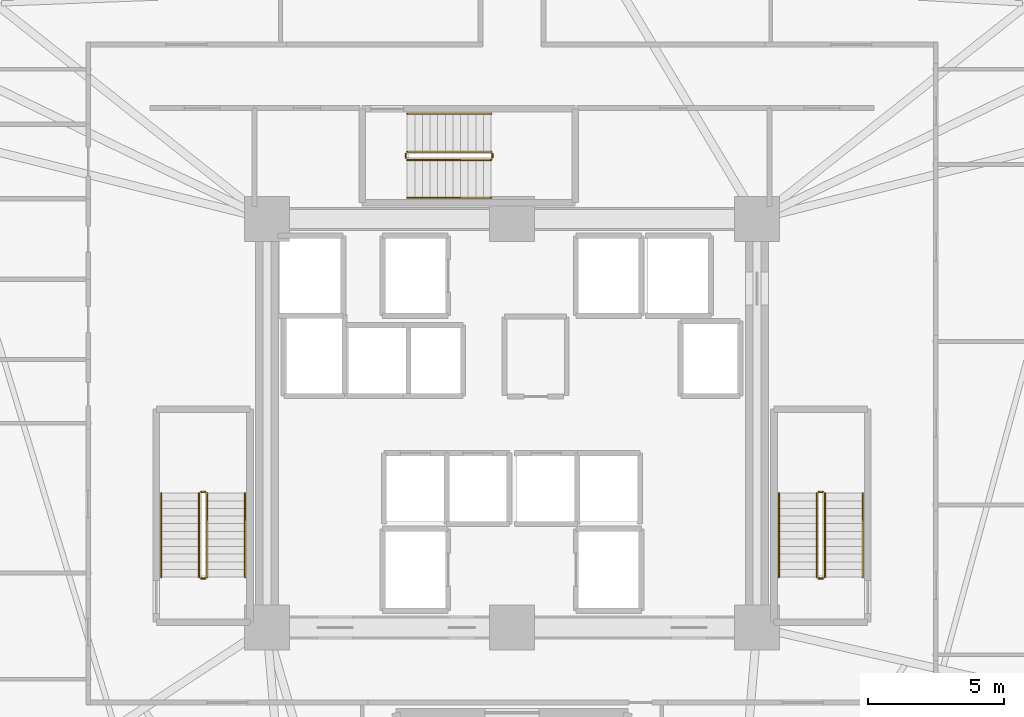
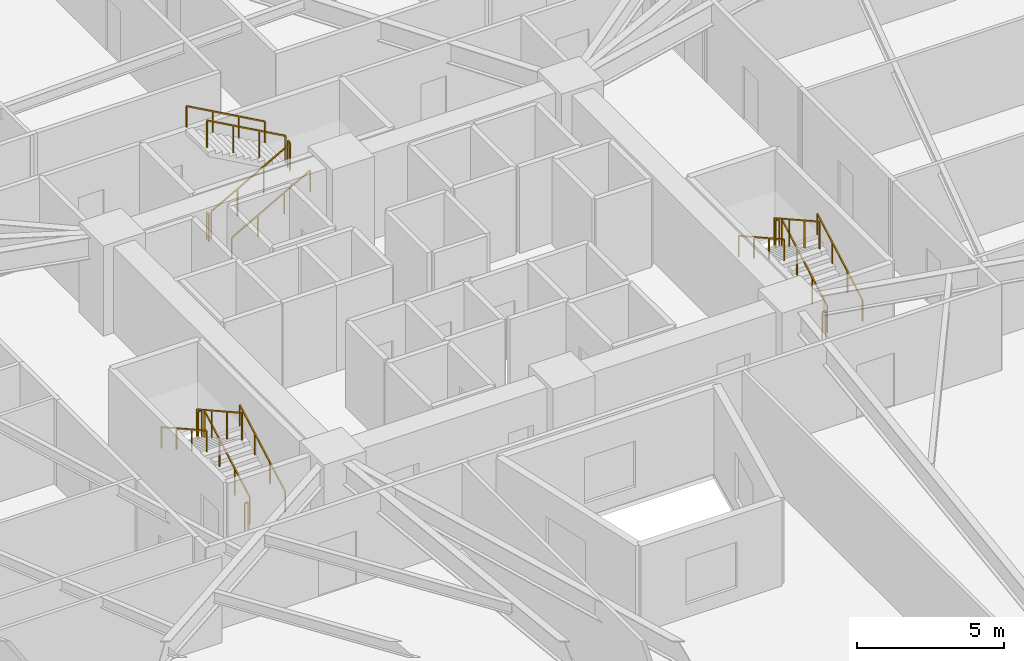
# One storey, part 8 of 8: 18 railings.
"""IFC4 building model written with IfcOpenShell, lengths in metres."""

from ifc_helpers import new_model, si_unit, direction, frame, origin, origin_2d, place, context, subcontext, project, spatial, rectangle, extrude, material, type_object, element, save


model = new_model("IFC4")

# Units and contexts
model_context = context("Model", 3, precision=1e-05, world=origin(), true_north=direction((0.0, 1.0)))
body_context = subcontext(model_context, "Body", "Model", "MODEL_VIEW")
ifc_project = project(units=[si_unit("LENGTHUNIT", "METRE"), si_unit("AREAUNIT", "SQUARE_METRE"), si_unit("VOLUMEUNIT", "CUBIC_METRE"), si_unit("PLANEANGLEUNIT", "RADIAN"), si_unit("MASSUNIT", "GRAM", prefix="KILO")], contexts=[model_context])

# Site, building, storey
site_placement = place(None, origin())
site = spatial("IfcSite", under=ifc_project, at=site_placement, CompositionType="ELEMENT")
building_placement = place(site_placement, origin())
building = spatial("IfcBuilding", under=site, at=building_placement, Name="Liaohun Quay Tower", CompositionType="ELEMENT")
storey_placement = place(building_placement, frame((0.0, 0.0, 78.0)))
storey = spatial("IfcBuildingStorey", under=building, at=storey_placement, Name="L20", CompositionType="ELEMENT", Elevation=78.0)

# Railings
ifc_material_1 = material(Name="Painted tubular steel", Category="steel")
railing_type_1 = type_object("IfcRailingType", Name="RLG-GUARD-STR", PredefinedType="GUARDRAIL", material=ifc_material_1)
railing_1_placement = place(storey_placement, frame((48.81005859375, 48.35009765625, 0.15625)))
element("IfcRailing", 1, at=railing_1_placement, inside=storey, type_object=railing_type_1, Name="L20 ST-1 stair guard 1", PredefinedType="GUARDRAIL", context=body_context, shape_type="SweptSolid", body=[
    extrude(rectangle(XDim=0.048095703125, YDim=0.048095703125, at=origin_2d()), frame((0.0, 0.0, 1.1259765625), z_axis=(0.0, 0.873225103656, 0.487317061414), x_axis=(-1.0, 0.0, 0.0)), (0.0, 0.0, 1.0), 3.52685546875),
    extrude(rectangle(XDim=0.0419921875, YDim=0.0419921875, at=origin_2d()), origin(), (0.0, 0.0, 1.0), 1.101806640625),
    extrude(rectangle(XDim=0.0419921875, YDim=0.0419921875, at=origin_2d()), frame((0.0, 1.026611328125, 0.572998046875)), (0.0, 0.0, 1.0), 1.101806640625),
    extrude(rectangle(XDim=0.0419921875, YDim=0.0419921875, at=origin_2d()), frame((0.0, 2.05322265625, 1.145751953125)), (0.0, 0.0, 1.0), 1.101806640625),
    extrude(rectangle(XDim=0.0419921875, YDim=0.0419921875, at=origin_2d()), frame((0.0, 3.079833984375, 1.71875)), (0.0, 0.0, 1.0), 1.101806640625),
])
railing_2_placement = place(storey_placement, frame((48.72998046875, 51.47998046875, 1.875)))
element("IfcRailing", 2, at=railing_2_placement, inside=storey, type_object=railing_type_1, Name="L20 ST-1 stair guard 2", PredefinedType="GUARDRAIL", context=body_context, shape_type="SweptSolid", body=[
    extrude(rectangle(XDim=0.048095703125, YDim=0.048095703125, at=origin_2d()), frame((0.0, 0.0, 1.1259765625), z_axis=(-1.0, 0.0, 0.0), x_axis=(0.0, -1.0, 0.0)), (0.0, 0.0, 1.0), 0.139892578125),
    extrude(rectangle(XDim=0.0419921875, YDim=0.0419921875, at=origin_2d()), origin(), (0.0, 0.0, 1.0), 1.101806640625),
    extrude(rectangle(XDim=0.0419921875, YDim=0.0419921875, at=origin_2d()), frame((-0.139892578125, 0.0, 0.0)), (0.0, 0.0, 1.0), 1.101806640625),
])
railing_3_placement = place(storey_placement, frame((48.510009765625, 51.429931640625, 2.03125)))
element("IfcRailing", 3, at=railing_3_placement, inside=storey, type_object=railing_type_1, Name="L20 ST-1 stair guard 3", PredefinedType="GUARDRAIL", context=body_context, shape_type="SweptSolid", body=[
    extrude(rectangle(XDim=0.048095703125, YDim=0.048095703125, at=origin_2d()), frame((0.0, 0.0, 1.1259765625), z_axis=(0.0, -0.873225103656, 0.487317061414), x_axis=(1.0, 0.0, 0.0)), (0.0, 0.0, 1.0), 3.52685546875),
    extrude(rectangle(XDim=0.0419921875, YDim=0.0419921875, at=origin_2d()), origin(), (0.0, 0.0, 1.0), 1.101806640625),
    extrude(rectangle(XDim=0.0419921875, YDim=0.0419921875, at=origin_2d()), frame((0.0, -1.026611328125, 0.572998046875)), (0.0, 0.0, 1.0), 1.101806640625),
    extrude(rectangle(XDim=0.0419921875, YDim=0.0419921875, at=origin_2d()), frame((0.0, -2.05322265625, 1.145751953125)), (0.0, 0.0, 1.0), 1.101806640625),
    extrude(rectangle(XDim=0.0419921875, YDim=0.0419921875, at=origin_2d()), frame((0.0, -3.079833984375, 1.71875)), (0.0, 0.0, 1.0), 1.101806640625),
])
railing_4_placement = place(storey_placement, frame((48.72998046875, 48.300048828125, 0.0)))
element("IfcRailing", 4, at=railing_4_placement, inside=storey, type_object=railing_type_1, Name="L20 ST-1 stair guard 4", PredefinedType="GUARDRAIL", context=body_context, shape_type="SweptSolid", body=[
    extrude(rectangle(XDim=0.048095703125, YDim=0.048095703125, at=origin_2d()), frame((0.0, 0.0, 1.1259765625), z_axis=(-1.0, 0.0, 0.0), x_axis=(0.0, -1.0, 0.0)), (0.0, 0.0, 1.0), 0.139892578125),
    extrude(rectangle(XDim=0.0419921875, YDim=0.0419921875, at=origin_2d()), origin(), (0.0, 0.0, 1.0), 1.101806640625),
    extrude(rectangle(XDim=0.0419921875, YDim=0.0419921875, at=origin_2d()), frame((-0.139892578125, 0.0, 0.0)), (0.0, 0.0, 1.0), 1.101806640625),
])
railing_5_placement = place(storey_placement, frame((71.489990234375, 48.35009765625, 0.15625)))
element("IfcRailing", 5, at=railing_5_placement, inside=storey, type_object=railing_type_1, Name="L20 ST-2 stair guard 1", PredefinedType="GUARDRAIL", context=body_context, shape_type="SweptSolid", body=[
    extrude(rectangle(XDim=0.048095703125, YDim=0.048095703125, at=origin_2d()), frame((0.0, 0.0, 1.1259765625), z_axis=(0.0, 0.873225103656, 0.487317061414), x_axis=(-1.0, 0.0, 0.0)), (0.0, 0.0, 1.0), 3.52685546875),
    extrude(rectangle(XDim=0.0419921875, YDim=0.0419921875, at=origin_2d()), origin(), (0.0, 0.0, 1.0), 1.101806640625),
    extrude(rectangle(XDim=0.0419921875, YDim=0.0419921875, at=origin_2d()), frame((0.0, 1.026611328125, 0.572998046875)), (0.0, 0.0, 1.0), 1.101806640625),
    extrude(rectangle(XDim=0.0419921875, YDim=0.0419921875, at=origin_2d()), frame((0.0, 2.05322265625, 1.145751953125)), (0.0, 0.0, 1.0), 1.101806640625),
    extrude(rectangle(XDim=0.0419921875, YDim=0.0419921875, at=origin_2d()), frame((0.0, 3.079833984375, 1.71875)), (0.0, 0.0, 1.0), 1.101806640625),
])
railing_6_placement = place(storey_placement, frame((71.409912109375, 51.47998046875, 1.875)))
element("IfcRailing", 6, at=railing_6_placement, inside=storey, type_object=railing_type_1, Name="L20 ST-2 stair guard 2", PredefinedType="GUARDRAIL", context=body_context, shape_type="SweptSolid", body=[
    extrude(rectangle(XDim=0.048095703125, YDim=0.048095703125, at=origin_2d()), frame((0.0, 0.0, 1.1259765625), z_axis=(-1.0, 0.0, 0.0), x_axis=(0.0, -1.0, 0.0)), (0.0, 0.0, 1.0), 0.139892578125),
    extrude(rectangle(XDim=0.0419921875, YDim=0.0419921875, at=origin_2d()), origin(), (0.0, 0.0, 1.0), 1.101806640625),
    extrude(rectangle(XDim=0.0419921875, YDim=0.0419921875, at=origin_2d()), frame((-0.139892578125, 0.0, 0.0)), (0.0, 0.0, 1.0), 1.101806640625),
])
railing_7_placement = place(storey_placement, frame((71.18994140625, 51.429931640625, 2.03125)))
element("IfcRailing", 7, at=railing_7_placement, inside=storey, type_object=railing_type_1, Name="L20 ST-2 stair guard 3", PredefinedType="GUARDRAIL", context=body_context, shape_type="SweptSolid", body=[
    extrude(rectangle(XDim=0.048095703125, YDim=0.048095703125, at=origin_2d()), frame((0.0, 0.0, 1.1259765625), z_axis=(0.0, -0.873225103656, 0.487317061414), x_axis=(1.0, 0.0, 0.0)), (0.0, 0.0, 1.0), 3.52685546875),
    extrude(rectangle(XDim=0.0419921875, YDim=0.0419921875, at=origin_2d()), origin(), (0.0, 0.0, 1.0), 1.101806640625),
    extrude(rectangle(XDim=0.0419921875, YDim=0.0419921875, at=origin_2d()), frame((0.0, -1.026611328125, 0.572998046875)), (0.0, 0.0, 1.0), 1.101806640625),
    extrude(rectangle(XDim=0.0419921875, YDim=0.0419921875, at=origin_2d()), frame((0.0, -2.05322265625, 1.145751953125)), (0.0, 0.0, 1.0), 1.101806640625),
    extrude(rectangle(XDim=0.0419921875, YDim=0.0419921875, at=origin_2d()), frame((0.0, -3.079833984375, 1.71875)), (0.0, 0.0, 1.0), 1.101806640625),
])
railing_8_placement = place(storey_placement, frame((71.409912109375, 48.300048828125, 0.0)))
element("IfcRailing", 8, at=railing_8_placement, inside=storey, type_object=railing_type_1, Name="L20 ST-2 stair guard 4", PredefinedType="GUARDRAIL", context=body_context, shape_type="SweptSolid", body=[
    extrude(rectangle(XDim=0.048095703125, YDim=0.048095703125, at=origin_2d()), frame((0.0, 0.0, 1.1259765625), z_axis=(-1.0, 0.0, 0.0), x_axis=(0.0, -1.0, 0.0)), (0.0, 0.0, 1.0), 0.139892578125),
    extrude(rectangle(XDim=0.0419921875, YDim=0.0419921875, at=origin_2d()), origin(), (0.0, 0.0, 1.0), 1.101806640625),
    extrude(rectangle(XDim=0.0419921875, YDim=0.0419921875, at=origin_2d()), frame((-0.139892578125, 0.0, 0.0)), (0.0, 0.0, 1.0), 1.101806640625),
])
railing_9_placement = place(storey_placement, frame((56.14990234375, 63.669921875, 0.15625)))
element("IfcRailing", 9, at=railing_9_placement, inside=storey, type_object=railing_type_1, Name="L20 ST-3 stair guard 1", PredefinedType="GUARDRAIL", context=body_context, shape_type="SweptSolid", body=[
    extrude(rectangle(XDim=0.048095703125, YDim=0.048095703125, at=origin_2d()), frame((0.0, 0.0, 1.1259765625), z_axis=(0.873241540666, 0.0, 0.487287606713), x_axis=(0.0, 1.0, 0.0)), (0.0, 0.0, 1.0), 3.527099609375),
    extrude(rectangle(XDim=0.0419921875, YDim=0.0419921875, at=origin_2d()), origin(), (0.0, 0.0, 1.0), 1.101806640625),
    extrude(rectangle(XDim=0.0419921875, YDim=0.0419921875, at=origin_2d()), frame((1.026611328125, 0.0, 0.572998046875)), (0.0, 0.0, 1.0), 1.101806640625),
    extrude(rectangle(XDim=0.0419921875, YDim=0.0419921875, at=origin_2d()), frame((2.053466796875, 0.0, 1.145751953125)), (0.0, 0.0, 1.0), 1.101806640625),
    extrude(rectangle(XDim=0.0419921875, YDim=0.0419921875, at=origin_2d()), frame((3.080078125, 0.0, 1.71875)), (0.0, 0.0, 1.0), 1.101806640625),
])
railing_10_placement = place(storey_placement, frame((59.280029296875, 63.75, 1.875)))
element("IfcRailing", 10, at=railing_10_placement, inside=storey, type_object=railing_type_1, Name="L20 ST-3 stair guard 2", PredefinedType="GUARDRAIL", context=body_context, shape_type="SweptSolid", body=[
    extrude(rectangle(XDim=0.048095703125, YDim=0.048095703125, at=origin_2d()), frame((0.0, 0.0, 1.1259765625), z_axis=(0.0, 1.0, 0.0), x_axis=(-1.0, 0.0, 0.0)), (0.0, 0.0, 1.0), 0.139892578125),
    extrude(rectangle(XDim=0.0419921875, YDim=0.0419921875, at=origin_2d()), origin(), (0.0, 0.0, 1.0), 1.101806640625),
    extrude(rectangle(XDim=0.0419921875, YDim=0.0419921875, at=origin_2d()), frame((0.0, 0.139892578125, 0.0)), (0.0, 0.0, 1.0), 1.101806640625),
])
railing_11_placement = place(storey_placement, frame((59.22998046875, 63.969970703125, 2.03125)))
element("IfcRailing", 11, at=railing_11_placement, inside=storey, type_object=railing_type_1, Name="L20 ST-3 stair guard 3", PredefinedType="GUARDRAIL", context=body_context, shape_type="SweptSolid", body=[
    extrude(rectangle(XDim=0.048095703125, YDim=0.048095703125, at=origin_2d()), frame((0.0, 0.0, 1.1259765625), z_axis=(-0.873241540666, 0.0, 0.487287606713), x_axis=(0.0, -1.0, 0.0)), (0.0, 0.0, 1.0), 3.527099609375),
    extrude(rectangle(XDim=0.0419921875, YDim=0.0419921875, at=origin_2d()), origin(), (0.0, 0.0, 1.0), 1.101806640625),
    extrude(rectangle(XDim=0.0419921875, YDim=0.0419921875, at=origin_2d()), frame((-1.026611328125, 0.0, 0.572998046875)), (0.0, 0.0, 1.0), 1.101806640625),
    extrude(rectangle(XDim=0.0419921875, YDim=0.0419921875, at=origin_2d()), frame((-2.053466796875, 0.0, 1.145751953125)), (0.0, 0.0, 1.0), 1.101806640625),
    extrude(rectangle(XDim=0.0419921875, YDim=0.0419921875, at=origin_2d()), frame((-3.080078125, 0.0, 1.71875)), (0.0, 0.0, 1.0), 1.101806640625),
])
railing_12_placement = place(storey_placement, frame((56.10009765625, 63.75, 0.0)))
element("IfcRailing", 12, at=railing_12_placement, inside=storey, type_object=railing_type_1, Name="L20 ST-3 stair guard 4", PredefinedType="GUARDRAIL", context=body_context, shape_type="SweptSolid", body=[
    extrude(rectangle(XDim=0.048095703125, YDim=0.048095703125, at=origin_2d()), frame((0.0, 0.0, 1.1259765625), z_axis=(0.0, 1.0, 0.0), x_axis=(-1.0, 0.0, 0.0)), (0.0, 0.0, 1.0), 0.139892578125),
    extrude(rectangle(XDim=0.0419921875, YDim=0.0419921875, at=origin_2d()), origin(), (0.0, 0.0, 1.0), 1.101806640625),
    extrude(rectangle(XDim=0.0419921875, YDim=0.0419921875, at=origin_2d()), frame((0.0, 0.139892578125, 0.0)), (0.0, 0.0, 1.0), 1.101806640625),
])
ifc_material_2 = material(Name="Brushed stainless steel", Category="steel")
railing_type_2 = type_object("IfcRailingType", Name="RLG-HND-STR", PredefinedType="HANDRAIL", material=ifc_material_2)
railing_13_placement = place(storey_placement, frame((50.199951171875, 48.35009765625, 0.15625)))
element("IfcRailing", 13, at=railing_13_placement, inside=storey, type_object=railing_type_2, Name="L20 ST-1 stair handrail 1", PredefinedType="HANDRAIL", context=body_context, shape_type="SweptSolid", body=[
    extrude(rectangle(XDim=0.048095703125, YDim=0.048095703125, at=origin_2d()), frame((0.0, 0.0, 0.8759765625), z_axis=(0.0, 0.873225103656, 0.487317061414), x_axis=(-1.0, 0.0, 0.0)), (0.0, 0.0, 1.0), 3.52685546875),
    extrude(rectangle(XDim=0.0419921875, YDim=0.0419921875, at=origin_2d()), origin(), (0.0, 0.0, 1.0), 0.851806640625),
    extrude(rectangle(XDim=0.0419921875, YDim=0.0419921875, at=origin_2d()), frame((0.0, 1.026611328125, 0.572998046875)), (0.0, 0.0, 1.0), 0.851806640625),
    extrude(rectangle(XDim=0.0419921875, YDim=0.0419921875, at=origin_2d()), frame((0.0, 2.05322265625, 1.145751953125)), (0.0, 0.0, 1.0), 0.851806640625),
    extrude(rectangle(XDim=0.0419921875, YDim=0.0419921875, at=origin_2d()), frame((0.0, 3.079833984375, 1.71875)), (0.0, 0.0, 1.0), 0.851806640625),
])
railing_14_placement = place(storey_placement, frame((47.1201171875, 51.429931640625, 2.03125)))
element("IfcRailing", 14, at=railing_14_placement, inside=storey, type_object=railing_type_2, Name="L20 ST-1 stair handrail 2", PredefinedType="HANDRAIL", context=body_context, shape_type="SweptSolid", body=[
    extrude(rectangle(XDim=0.048095703125, YDim=0.048095703125, at=origin_2d()), frame((0.0, 0.0, 0.8759765625), z_axis=(0.0, -0.873225103656, 0.487317061414), x_axis=(1.0, 0.0, 0.0)), (0.0, 0.0, 1.0), 3.52685546875),
    extrude(rectangle(XDim=0.0419921875, YDim=0.0419921875, at=origin_2d()), origin(), (0.0, 0.0, 1.0), 0.851806640625),
    extrude(rectangle(XDim=0.0419921875, YDim=0.0419921875, at=origin_2d()), frame((0.0, -1.026611328125, 0.572998046875)), (0.0, 0.0, 1.0), 0.851806640625),
    extrude(rectangle(XDim=0.0419921875, YDim=0.0419921875, at=origin_2d()), frame((0.0, -2.05322265625, 1.145751953125)), (0.0, 0.0, 1.0), 0.851806640625),
    extrude(rectangle(XDim=0.0419921875, YDim=0.0419921875, at=origin_2d()), frame((0.0, -3.079833984375, 1.71875)), (0.0, 0.0, 1.0), 0.851806640625),
])
railing_15_placement = place(storey_placement, frame((72.8798828125, 48.35009765625, 0.15625)))
element("IfcRailing", 15, at=railing_15_placement, inside=storey, type_object=railing_type_2, Name="L20 ST-2 stair handrail 1", PredefinedType="HANDRAIL", context=body_context, shape_type="SweptSolid", body=[
    extrude(rectangle(XDim=0.048095703125, YDim=0.048095703125, at=origin_2d()), frame((0.0, 0.0, 0.8759765625), z_axis=(0.0, 0.873225103656, 0.487317061414), x_axis=(-1.0, 0.0, 0.0)), (0.0, 0.0, 1.0), 3.52685546875),
    extrude(rectangle(XDim=0.0419921875, YDim=0.0419921875, at=origin_2d()), origin(), (0.0, 0.0, 1.0), 0.851806640625),
    extrude(rectangle(XDim=0.0419921875, YDim=0.0419921875, at=origin_2d()), frame((0.0, 1.026611328125, 0.572998046875)), (0.0, 0.0, 1.0), 0.851806640625),
    extrude(rectangle(XDim=0.0419921875, YDim=0.0419921875, at=origin_2d()), frame((0.0, 2.05322265625, 1.145751953125)), (0.0, 0.0, 1.0), 0.851806640625),
    extrude(rectangle(XDim=0.0419921875, YDim=0.0419921875, at=origin_2d()), frame((0.0, 3.079833984375, 1.71875)), (0.0, 0.0, 1.0), 0.851806640625),
])
railing_16_placement = place(storey_placement, frame((69.800048828125, 51.429931640625, 2.03125)))
element("IfcRailing", 16, at=railing_16_placement, inside=storey, type_object=railing_type_2, Name="L20 ST-2 stair handrail 2", PredefinedType="HANDRAIL", context=body_context, shape_type="SweptSolid", body=[
    extrude(rectangle(XDim=0.048095703125, YDim=0.048095703125, at=origin_2d()), frame((0.0, 0.0, 0.8759765625), z_axis=(0.0, -0.873225103656, 0.487317061414), x_axis=(1.0, 0.0, 0.0)), (0.0, 0.0, 1.0), 3.52685546875),
    extrude(rectangle(XDim=0.0419921875, YDim=0.0419921875, at=origin_2d()), origin(), (0.0, 0.0, 1.0), 0.851806640625),
    extrude(rectangle(XDim=0.0419921875, YDim=0.0419921875, at=origin_2d()), frame((0.0, -1.026611328125, 0.572998046875)), (0.0, 0.0, 1.0), 0.851806640625),
    extrude(rectangle(XDim=0.0419921875, YDim=0.0419921875, at=origin_2d()), frame((0.0, -2.05322265625, 1.145751953125)), (0.0, 0.0, 1.0), 0.851806640625),
    extrude(rectangle(XDim=0.0419921875, YDim=0.0419921875, at=origin_2d()), frame((0.0, -3.079833984375, 1.71875)), (0.0, 0.0, 1.0), 0.851806640625),
])
railing_17_placement = place(storey_placement, frame((56.14990234375, 62.280029296875, 0.15625)))
element("IfcRailing", 17, at=railing_17_placement, inside=storey, type_object=railing_type_2, Name="L20 ST-3 stair handrail 1", PredefinedType="HANDRAIL", context=body_context, shape_type="SweptSolid", body=[
    extrude(rectangle(XDim=0.048095703125, YDim=0.048095703125, at=origin_2d()), frame((0.0, 0.0, 0.8759765625), z_axis=(0.873241540666, 0.0, 0.487287606713), x_axis=(0.0, 1.0, 0.0)), (0.0, 0.0, 1.0), 3.527099609375),
    extrude(rectangle(XDim=0.0419921875, YDim=0.0419921875, at=origin_2d()), origin(), (0.0, 0.0, 1.0), 0.851806640625),
    extrude(rectangle(XDim=0.0419921875, YDim=0.0419921875, at=origin_2d()), frame((1.026611328125, 0.0, 0.572998046875)), (0.0, 0.0, 1.0), 0.851806640625),
    extrude(rectangle(XDim=0.0419921875, YDim=0.0419921875, at=origin_2d()), frame((2.053466796875, 0.0, 1.145751953125)), (0.0, 0.0, 1.0), 0.851806640625),
    extrude(rectangle(XDim=0.0419921875, YDim=0.0419921875, at=origin_2d()), frame((3.080078125, 0.0, 1.71875)), (0.0, 0.0, 1.0), 0.851806640625),
])
railing_18_placement = place(storey_placement, frame((59.22998046875, 65.360107421875, 2.03125)))
element("IfcRailing", 18, at=railing_18_placement, inside=storey, type_object=railing_type_2, Name="L20 ST-3 stair handrail 2", PredefinedType="HANDRAIL", context=body_context, shape_type="SweptSolid", body=[
    extrude(rectangle(XDim=0.048095703125, YDim=0.048095703125, at=origin_2d()), frame((0.0, 0.0, 0.8759765625), z_axis=(-0.873241540666, 0.0, 0.487287606713), x_axis=(0.0, -1.0, 0.0)), (0.0, 0.0, 1.0), 3.527099609375),
    extrude(rectangle(XDim=0.0419921875, YDim=0.0419921875, at=origin_2d()), origin(), (0.0, 0.0, 1.0), 0.851806640625),
    extrude(rectangle(XDim=0.0419921875, YDim=0.0419921875, at=origin_2d()), frame((-1.026611328125, 0.0, 0.572998046875)), (0.0, 0.0, 1.0), 0.851806640625),
    extrude(rectangle(XDim=0.0419921875, YDim=0.0419921875, at=origin_2d()), frame((-2.053466796875, 0.0, 1.145751953125)), (0.0, 0.0, 1.0), 0.851806640625),
    extrude(rectangle(XDim=0.0419921875, YDim=0.0419921875, at=origin_2d()), frame((-3.080078125, 0.0, 1.71875)), (0.0, 0.0, 1.0), 0.851806640625),
])

save(model, "model.ifc")
